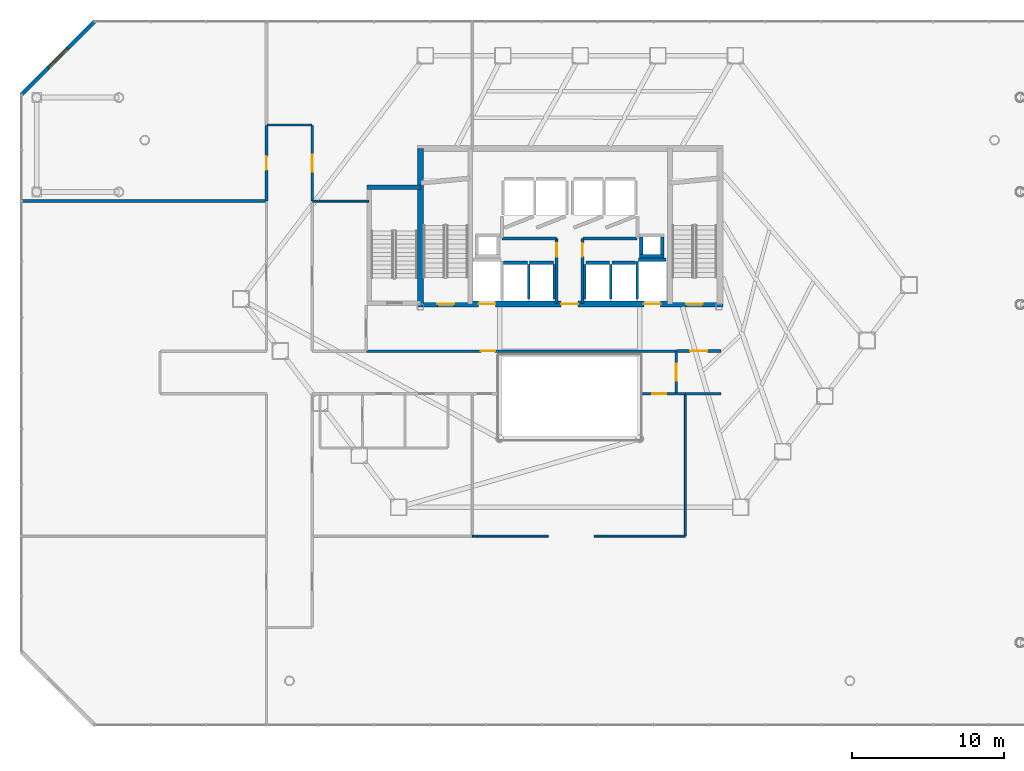
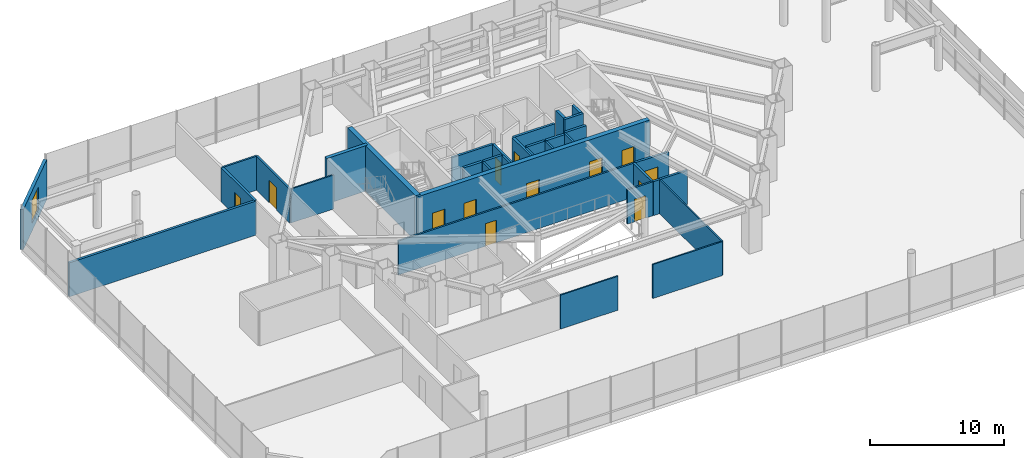
# One storey, part 35 of 37: 35 walls, 13 doors, 1 window, 14 openings.
"""IFC4 building model written with IfcOpenShell, lengths in metres."""

from ifc_helpers import new_model, si_unit, direction, frame, frame_2d, origin, place, context, subcontext, project, spatial, rectangle, extrude, material, layer, layer_set, type_object, element, fill, save


model = new_model("IFC4")

# Units and contexts
model_context = context("Model", 3, precision=1e-05, world=origin(), true_north=direction((0.0, 1.0)))
body_context = subcontext(model_context, "Body", "Model", "MODEL_VIEW")
ifc_project = project(units=[si_unit("LENGTHUNIT", "METRE"), si_unit("AREAUNIT", "SQUARE_METRE"), si_unit("VOLUMEUNIT", "CUBIC_METRE"), si_unit("PLANEANGLEUNIT", "RADIAN"), si_unit("MASSUNIT", "GRAM", prefix="KILO")], contexts=[model_context])

# Site, building, storey
site_placement = place(None, origin())
site = spatial("IfcSite", under=ifc_project, at=site_placement, CompositionType="ELEMENT")
building_placement = place(site_placement, origin())
building = spatial("IfcBuilding", under=site, at=building_placement, Name="Zarrinselat Tower", CompositionType="ELEMENT")
storey_placement = place(building_placement, frame((0.0, 0.0, 13.93994140625)))
storey = spatial("IfcBuildingStorey", under=building, at=storey_placement, Name="L03", CompositionType="ELEMENT", Elevation=13.93994140625)

# Wall, opening, window
ifc_material_1 = material(Name="Honed Cream Travertine Stone", Category="masonry")
ifc_layer_1 = layer(ifc_material_1, 0.260009765625)
ifc_layer_set_1 = layer_set([ifc_layer_1], Name="Honed Cream Travertine Stone")
wall_type_1 = type_object("IfcWallType", Name="WAL-EXT-STONE-260", PredefinedType="STANDARD", material=ifc_layer_set_1)
wall_1_placement = place(storey_placement, frame((2.39990234375, 47.0, 0.0), z_axis=(0.0, 0.0, 1.0), x_axis=(0.707106781187, 0.707106781187, 0.0)))
wall_1 = element("IfcWall", 1, at=wall_1_placement, inside=storey, type_object=wall_type_1, Name="L03 Chamfered Stone Corner Wall 5", PredefinedType="STANDARD", context=body_context, shape_type="SweptSolid", body=[
    extrude(rectangle(XDim=6.788330078125, YDim=0.260009765625, at=frame_2d((3.39404296875, 0.0))), origin(), (0.0, 0.0, 1.0), 3.650146484375),
])
opening_1_placement = place(wall_1_placement, frame((2.494140625, 0.0, 0.699951171875)))
opening_1 = element("IfcOpeningElement", 2, at=opening_1_placement, cuts=wall_1, Name="Opening WN-2", PredefinedType="OPENING", context=body_context, shape_type="SweptSolid", body=[
    extrude(rectangle(XDim=1.800048828125, YDim=2.10009765625, at=frame_2d((0.89990234375, 1.050048828125))), frame((0.0, 0.139892578125, 0.0), z_axis=(0.0, -1.0, 0.0), x_axis=(1.0, 0.0, 0.0)), (0.0, 0.0, 1.0), 0.280029296875),
])
ifc_material_2 = material(Name="Double Low-E Laminated Solar Glass", Category="glass")
window_type = type_object("IfcWindowType", Name="WIN-GALLERY-1800", PartitioningType="SINGLE_PANEL", PredefinedType="WINDOW", material=ifc_material_2)
window_placement = place(opening_1_placement, origin())
window = element("IfcWindow", 3, at=window_placement, inside=storey, type_object=window_type, Name="L03 Corner Gallery Window 5", OverallHeight=2.10009765625, OverallWidth=1.800048828125, PartitioningType="SINGLE_PANEL", PredefinedType="WINDOW", context=body_context, shape_type="SweptSolid", body=[
    extrude(rectangle(XDim=1.800048828125, YDim=2.10009765625, at=frame_2d((0.89990234375, 1.050048828125))), frame((0.0, 0.030029296875, 0.0), z_axis=(0.0, -1.0, 0.0), x_axis=(1.0, 0.0, 0.0)), (0.0, 0.0, 1.0), 0.06005859375),
])
fill(opening_1, window)

# Wall, opening, door
ifc_material_3 = material(Name="Concrete C40/50", Category="concrete")
ifc_layer_2 = layer(ifc_material_3, 0.18994140625)
ifc_layer_set_2 = layer_set([ifc_layer_2], Name="Concrete C40/50")
wall_type_2 = type_object("IfcWallType", Name="WAL-PART-EI120", PredefinedType="PARTITIONING", material=ifc_layer_set_2)
wall_2_placement = place(storey_placement, frame((45.405029296875, 30.14990234375, 0.0), z_axis=(0.0, 0.0, 1.0), x_axis=(1.0, 0.0, 0.0)))
wall_2 = element("IfcWall", 4, at=wall_2_placement, inside=storey, type_object=wall_type_2, Name="L03 Partition Wall 7", PredefinedType="PARTITIONING", context=body_context, shape_type="SweptSolid", body=[
    extrude(rectangle(XDim=2.945068359375, YDim=0.18994140625, at=frame_2d((1.47265625, 0.0))), origin(), (0.0, 0.0, 1.0), 3.09716796875),
])
opening_2_placement = place(wall_2_placement, frame((0.91259765625, 0.0, 0.0)))
opening_2 = element("IfcOpeningElement", 5, at=opening_2_placement, cuts=wall_2, Name="Opening ID-02", PredefinedType="OPENING", context=body_context, shape_type="SweptSolid", body=[
    extrude(rectangle(XDim=1.1201171875, YDim=2.050048828125, at=frame_2d((0.56005859375, 1.02490234375))), frame((0.0, 0.10498046875, 0.0), z_axis=(0.0, -1.0, 0.0), x_axis=(1.0, 0.0, 0.0)), (0.0, 0.0, 1.0), 0.2099609375),
])
ifc_material_4 = material(Name="Steel S355J2", Category="steel")
door_type_1 = type_object("IfcDoorType", Name="DR-INT-FD60-W", OperationType="NOTDEFINED", PredefinedType="DOOR", material=ifc_material_4)
door_1_placement = place(opening_2_placement, origin())
door_1 = element("IfcDoor", 6, at=door_1_placement, inside=storey, type_object=door_type_1, Name="L03 Interior Door P7", OperationType="SINGLE_SWING_RIGHT", OverallHeight=2.050048828125, OverallWidth=1.1201171875, PredefinedType="DOOR", context=body_context, shape_type="SweptSolid", body=[
    extrude(rectangle(XDim=1.1201171875, YDim=2.050048828125, at=frame_2d((0.56005859375, 1.02490234375))), frame((0.0, 0.02490234375, 0.0), z_axis=(0.0, -1.0, 0.0), x_axis=(1.0, 0.0, 0.0)), (0.0, 0.0, 1.0), 0.050048828125),
])
fill(opening_2, door_1)

wall_3_placement = place(storey_placement, frame((45.39990234375, 27.3701171875, 0.0), z_axis=(0.0, 0.0, 1.0), x_axis=(0.0, 1.0, 0.0)))
wall_3 = element("IfcWall", 7, at=wall_3_placement, inside=storey, type_object=wall_type_2, Name="L03 Partition Wall 10", PredefinedType="PARTITIONING", context=body_context, shape_type="SweptSolid", body=[
    extrude(rectangle(XDim=2.759765625, YDim=0.18994140625, at=frame_2d((1.3798828125, 0.0))), origin(), (0.0, 0.0, 1.0), 3.09716796875),
])
opening_3_placement = place(wall_3_placement, frame((0.820068359375, 0.0, 0.0)))
opening_3 = element("IfcOpeningElement", 8, at=opening_3_placement, cuts=wall_3, Name="Opening ID-02", PredefinedType="OPENING", context=body_context, shape_type="SweptSolid", body=[
    extrude(rectangle(XDim=1.1201171875, YDim=2.050048828125, at=frame_2d((0.56005859375, 1.02490234375))), frame((0.0, 0.10498046875, 0.0), z_axis=(0.0, -1.0, 0.0), x_axis=(1.0, 0.0, 0.0)), (0.0, 0.0, 1.0), 0.2099609375),
])
door_2_placement = place(opening_3_placement, origin())
door_2 = element("IfcDoor", 9, at=door_2_placement, inside=storey, type_object=door_type_1, Name="L03 Interior Door P10", OperationType="SINGLE_SWING_LEFT", OverallHeight=2.050048828125, OverallWidth=1.1201171875, PredefinedType="DOOR", context=body_context, shape_type="SweptSolid", body=[
    extrude(rectangle(XDim=1.1201171875, YDim=2.050048828125, at=frame_2d((0.56005859375, 1.02490234375))), frame((0.0, 0.02490234375, 0.0), z_axis=(0.0, -1.0, 0.0), x_axis=(1.0, 0.0, 0.0)), (0.0, 0.0, 1.0), 0.050048828125),
])
fill(opening_3, door_2)

# Walls
wall_4_placement = place(storey_placement, frame((46.0048828125, 27.35009765625, 0.0), z_axis=(0.0, 0.0, 1.0), x_axis=(1.0, 0.0, 0.0)))
element("IfcWall", 10, at=wall_4_placement, inside=storey, type_object=wall_type_2, Name="L03 Partition Wall 11", PredefinedType="PARTITIONING", context=body_context, shape_type="SweptSolid", body=[
    extrude(rectangle(XDim=2.34521484375, YDim=0.18994140625, at=frame_2d((1.172607421875, 0.0))), origin(), (0.0, 0.0, 1.0), 3.09716796875),
])
wall_5_placement = place(storey_placement, frame((45.419921875, 27.35009765625, 0.0), z_axis=(0.0, 0.0, 1.0), x_axis=(1.0, 0.0, 0.0)))
element("IfcWall", 11, at=wall_5_placement, inside=storey, type_object=wall_type_2, Name="L03 Partition Wall 12", PredefinedType="PARTITIONING", context=body_context, shape_type="SweptSolid", body=[
    extrude(rectangle(XDim=0.5751953125, YDim=0.18994140625, at=frame_2d((0.28759765625, 0.0))), origin(), (0.0, 0.0, 1.0), 3.09716796875),
])

# Wall, opening, door
ifc_material_5 = material(Name="Fire-Rated Gypsum Board Partition", Category="gypsum")
ifc_layer_3 = layer(ifc_material_5, 0.14990234375)
ifc_layer_set_3 = layer_set([ifc_layer_3], Name="Fire-Rated Gypsum Board Partition")
wall_type_3 = type_object("IfcWallType", Name="WAL-PART-EI60", PredefinedType="PARTITIONING", material=ifc_layer_set_3)
wall_6_placement = place(storey_placement, frame((25.070068359375, 30.14990234375, 0.0), z_axis=(0.0, 0.0, 1.0), x_axis=(1.0, 0.0, 0.0)))
wall_6 = element("IfcWall", 12, at=wall_6_placement, inside=storey, type_object=wall_type_3, Name="L03 Partition Wall 8", PredefinedType="PARTITIONING", context=body_context, shape_type="SweptSolid", body=[
    extrude(rectangle(XDim=20.324951171875, YDim=0.14990234375, at=frame_2d((10.16259765625, 0.0))), origin(), (0.0, 0.0, 1.0), 3.09716796875),
])
opening_4_placement = place(wall_6_placement, frame((7.492431640625, 0.0, 0.0)))
opening_4 = element("IfcOpeningElement", 13, at=opening_4_placement, cuts=wall_6, Name="Opening ID-04", PredefinedType="OPENING", context=body_context, shape_type="SweptSolid", body=[
    extrude(rectangle(XDim=0.93994140625, YDim=2.050048828125, at=frame_2d((0.469970703125, 1.02490234375))), frame((0.0, 0.0849609375, 0.0), z_axis=(0.0, -1.0, 0.0), x_axis=(1.0, 0.0, 0.0)), (0.0, 0.0, 1.0), 0.169921875),
])
ifc_material_6 = material(Name="Fire-Rated Gypsum Board Partition")
door_type_2 = type_object("IfcDoorType", Name="DR-INT-FD30-ENT", OperationType="NOTDEFINED", PredefinedType="DOOR", material=ifc_material_6)
door_3_placement = place(opening_4_placement, origin())
door_3 = element("IfcDoor", 14, at=door_3_placement, inside=storey, type_object=door_type_2, Name="L03 Interior Door P8", OperationType="SINGLE_SWING_LEFT", OverallHeight=2.050048828125, OverallWidth=0.93994140625, PredefinedType="DOOR", context=body_context, shape_type="SweptSolid", body=[
    extrude(rectangle(XDim=0.93994140625, YDim=2.050048828125, at=frame_2d((0.469970703125, 1.02490234375))), frame((0.0, 0.02490234375, 0.0), z_axis=(0.0, -1.0, 0.0), x_axis=(1.0, 0.0, 0.0)), (0.0, 0.0, 1.0), 0.050048828125),
])
fill(opening_4, door_3)

wall_7_placement = place(storey_placement, frame((43.179931640625, 27.35009765625, 0.0), z_axis=(0.0, 0.0, 1.0), x_axis=(1.0, 0.0, 0.0)))
wall_7 = element("IfcWall", 15, at=wall_7_placement, inside=storey, type_object=wall_type_3, Name="L03 Partition Wall 24", PredefinedType="PARTITIONING", context=body_context, shape_type="SweptSolid", body=[
    extrude(rectangle(XDim=2.199951171875, YDim=0.14990234375, at=frame_2d((1.10009765625, 0.0))), origin(), (0.0, 0.0, 1.0), 3.09716796875),
])
opening_5_placement = place(wall_7_placement, frame((0.6298828125, 0.0, 0.0)))
opening_5 = element("IfcOpeningElement", 16, at=opening_5_placement, cuts=wall_7, Name="Opening ID-04", PredefinedType="OPENING", context=body_context, shape_type="SweptSolid", body=[
    extrude(rectangle(XDim=0.93994140625, YDim=2.050048828125, at=frame_2d((0.469970703125, 1.02490234375))), frame((0.0, 0.0849609375, 0.0), z_axis=(0.0, -1.0, 0.0), x_axis=(1.0, 0.0, 0.0)), (0.0, 0.0, 1.0), 0.169921875),
])
door_4_placement = place(opening_5_placement, origin())
door_4 = element("IfcDoor", 17, at=door_4_placement, inside=storey, type_object=door_type_2, Name="L03 Interior Door P24", OperationType="SINGLE_SWING_RIGHT", OverallHeight=2.050048828125, OverallWidth=0.93994140625, PredefinedType="DOOR", context=body_context, shape_type="SweptSolid", body=[
    extrude(rectangle(XDim=0.93994140625, YDim=2.050048828125, at=frame_2d((0.469970703125, 1.02490234375))), frame((0.0, 0.02490234375, 0.0), z_axis=(0.0, -1.0, 0.0), x_axis=(1.0, 0.0, 0.0)), (0.0, 0.0, 1.0), 0.050048828125),
])
fill(opening_5, door_4)

# Wall
wall_8_placement = place(storey_placement, frame((18.52001953125, 45.0, 0.0), z_axis=(0.0, 0.0, 1.0), x_axis=(1.0, 0.0, 0.0)))
element("IfcWall", 18, at=wall_8_placement, inside=storey, type_object=wall_type_3, Name="L03 Partition Wall 34", PredefinedType="PARTITIONING", context=body_context, shape_type="SweptSolid", body=[
    extrude(rectangle(XDim=2.9599609375, YDim=0.14990234375, at=frame_2d((1.47998046875, 0.0))), origin(), (0.0, 0.0, 1.0), 3.09716796875),
])

# Wall, opening, door
wall_9_placement = place(storey_placement, frame((21.5, 40.0048828125, 0.0), z_axis=(0.0, 0.0, 1.0), x_axis=(0.0, 1.0, 0.0)))
wall_9 = element("IfcWall", 19, at=wall_9_placement, inside=storey, type_object=wall_type_3, Name="L03 Partition Wall 35", PredefinedType="PARTITIONING", context=body_context, shape_type="SweptSolid", body=[
    extrude(rectangle(XDim=4.97509765625, YDim=0.14990234375, at=frame_2d((2.487548828125, 0.0))), origin(), (0.0, 0.0, 1.0), 3.09716796875),
])
opening_6_placement = place(wall_9_placement, frame((1.927490234375, 0.0, 0.0)))
opening_6 = element("IfcOpeningElement", 20, at=opening_6_placement, cuts=wall_9, Name="Opening ID-02", PredefinedType="OPENING", context=body_context, shape_type="SweptSolid", body=[
    extrude(rectangle(XDim=1.1201171875, YDim=2.050048828125, at=frame_2d((0.56005859375, 1.02490234375))), frame((0.0, 0.0849609375, 0.0), z_axis=(0.0, -1.0, 0.0), x_axis=(1.0, 0.0, 0.0)), (0.0, 0.0, 1.0), 0.169921875),
])
door_5_placement = place(opening_6_placement, origin())
door_5 = element("IfcDoor", 21, at=door_5_placement, inside=storey, type_object=door_type_1, Name="L03 Interior Door P35", OperationType="SINGLE_SWING_RIGHT", OverallHeight=2.050048828125, OverallWidth=1.1201171875, PredefinedType="DOOR", context=body_context, shape_type="SweptSolid", body=[
    extrude(rectangle(XDim=1.1201171875, YDim=2.050048828125, at=frame_2d((0.56005859375, 1.02490234375))), frame((0.0, 0.02490234375, 0.0), z_axis=(0.0, -1.0, 0.0), x_axis=(1.0, 0.0, 0.0)), (0.0, 0.0, 1.0), 0.050048828125),
])
fill(opening_6, door_5)

ifc_material_7 = material(Name="Concrete C40/50", Category="concrete")
ifc_layer_4 = layer(ifc_material_7, 0.199951171875)
ifc_layer_set_4 = layer_set([ifc_layer_4], Name="Concrete C40/50")
wall_type_4 = type_object("IfcWallType", Name="WAL-PART-PLANT", PredefinedType="PARTITIONING", material=ifc_layer_set_4)
wall_10_placement = place(storey_placement, frame((37.550048828125, 33.264892578125, 0.0), z_axis=(0.0, 0.0, 1.0), x_axis=(0.0, 1.0, 0.0)))
wall_10 = element("IfcWall", 22, at=wall_10_placement, inside=storey, type_object=wall_type_4, Name="L03 Partition Wall 1", PredefinedType="PARTITIONING", context=body_context, shape_type="SweptSolid", body=[
    extrude(rectangle(XDim=4.26513671875, YDim=0.199951171875, at=frame_2d((2.132568359375, 0.0))), origin(), (0.0, 0.0, 1.0), 3.09716796875),
])
opening_7_placement = place(wall_10_placement, frame((3.092529296875, 0.0, 0.0)))
opening_7 = element("IfcOpeningElement", 23, at=opening_7_placement, cuts=wall_10, Name="Opening ID-03", PredefinedType="OPENING", context=body_context, shape_type="SweptSolid", body=[
    extrude(rectangle(XDim=0.8798828125, YDim=2.050048828125, at=frame_2d((0.43994140625, 1.02490234375))), frame((0.0, 0.10986328125, 0.0), z_axis=(0.0, -1.0, 0.0), x_axis=(1.0, 0.0, 0.0)), (0.0, 0.0, 1.0), 0.219970703125),
])
ifc_material_8 = material(Name="Steel S355J2", Category="steel")
door_type_3 = type_object("IfcDoorType", Name="DR-INT-FD60-S", OperationType="NOTDEFINED", PredefinedType="DOOR", material=ifc_material_8)
door_6_placement = place(opening_7_placement, origin())
door_6 = element("IfcDoor", 24, at=door_6_placement, inside=storey, type_object=door_type_3, Name="L03 Interior Door P1", OperationType="SINGLE_SWING_RIGHT", OverallHeight=2.050048828125, OverallWidth=0.8798828125, PredefinedType="DOOR", context=body_context, shape_type="SweptSolid", body=[
    extrude(rectangle(XDim=0.8798828125, YDim=2.050048828125, at=frame_2d((0.43994140625, 1.02490234375))), frame((0.0, 0.02490234375, 0.0), z_axis=(0.0, -1.0, 0.0), x_axis=(1.0, 0.0, 0.0)), (0.0, 0.0, 1.0), 0.050048828125),
])
fill(opening_7, door_6)

# Walls
for number, where, z_axis, x_axis, name in (
    (25, (33.969970703125, 37.550048828125, 0.0), (0.0, 0.0, 1.0), (1.0, 0.0, 0.0), "L03 Partition Wall 2"),
    (26, (39.27001953125, 37.550048828125, 0.0), (0.0, 0.0, 1.0), (1.0, 0.0, 0.0), "L03 Partition Wall 5"),
):
    element("IfcWall", number, at=place(storey_placement, frame(where, z_axis=z_axis, x_axis=x_axis)), inside=storey, type_object=wall_type_4, Name=name, PredefinedType="PARTITIONING", context=body_context, shape_type="SweptSolid", body=[
        extrude(rectangle(XDim=3.56005859375, YDim=0.199951171875, at=frame_2d((1.780029296875, 0.0))), origin(), (0.0, 0.0, 1.0), 3.09716796875),
    ])

# Wall, opening, door
wall_11_placement = place(storey_placement, frame((39.25, 33.264892578125, 0.0), z_axis=(0.0, 0.0, 1.0), x_axis=(0.0, 1.0, 0.0)))
wall_11 = element("IfcWall", 27, at=wall_11_placement, inside=storey, type_object=wall_type_4, Name="L03 Partition Wall 6", PredefinedType="PARTITIONING", context=body_context, shape_type="SweptSolid", body=[
    extrude(rectangle(XDim=4.26513671875, YDim=0.199951171875, at=frame_2d((2.132568359375, 0.0))), origin(), (0.0, 0.0, 1.0), 3.09716796875),
])
opening_8_placement = place(wall_11_placement, frame((3.092529296875, 0.0, 0.0)))
opening_8 = element("IfcOpeningElement", 28, at=opening_8_placement, cuts=wall_11, Name="Opening ID-03", PredefinedType="OPENING", context=body_context, shape_type="SweptSolid", body=[
    extrude(rectangle(XDim=0.8798828125, YDim=2.050048828125, at=frame_2d((0.43994140625, 1.02490234375))), frame((0.0, 0.10986328125, 0.0), z_axis=(0.0, -1.0, 0.0), x_axis=(1.0, 0.0, 0.0)), (0.0, 0.0, 1.0), 0.219970703125),
])
door_7_placement = place(opening_8_placement, origin())
door_7 = element("IfcDoor", 29, at=door_7_placement, inside=storey, type_object=door_type_3, Name="L03 Interior Door P6", OperationType="SINGLE_SWING_LEFT", OverallHeight=2.050048828125, OverallWidth=0.8798828125, PredefinedType="DOOR", context=body_context, shape_type="SweptSolid", body=[
    extrude(rectangle(XDim=0.8798828125, YDim=2.050048828125, at=frame_2d((0.43994140625, 1.02490234375))), frame((0.0, 0.02490234375, 0.0), z_axis=(0.0, -1.0, 0.0), x_axis=(1.0, 0.0, 0.0)), (0.0, 0.0, 1.0), 0.050048828125),
])
fill(opening_8, door_7)

wall_12_placement = place(storey_placement, frame((18.5, 40.0048828125, 0.0), z_axis=(0.0, 0.0, 1.0), x_axis=(0.0, 1.0, 0.0)))
wall_12 = element("IfcWall", 30, at=wall_12_placement, inside=storey, type_object=wall_type_4, Name="L03 Partition Wall 33", PredefinedType="PARTITIONING", context=body_context, shape_type="SweptSolid", body=[
    extrude(rectangle(XDim=4.97509765625, YDim=0.199951171875, at=frame_2d((2.487548828125, 0.0))), origin(), (0.0, 0.0, 1.0), 3.09716796875),
])
opening_9_placement = place(wall_12_placement, frame((2.047607421875, 0.0, 0.0)))
opening_9 = element("IfcOpeningElement", 31, at=opening_9_placement, cuts=wall_12, Name="Opening ID-03", PredefinedType="OPENING", context=body_context, shape_type="SweptSolid", body=[
    extrude(rectangle(XDim=0.8798828125, YDim=2.050048828125, at=frame_2d((0.43994140625, 1.02490234375))), frame((0.0, 0.10986328125, 0.0), z_axis=(0.0, -1.0, 0.0), x_axis=(1.0, 0.0, 0.0)), (0.0, 0.0, 1.0), 0.219970703125),
])
door_8_placement = place(opening_9_placement, origin())
door_8 = element("IfcDoor", 32, at=door_8_placement, inside=storey, type_object=door_type_3, Name="L03 Interior Door P33", OperationType="SINGLE_SWING_LEFT", OverallHeight=2.050048828125, OverallWidth=0.8798828125, PredefinedType="DOOR", context=body_context, shape_type="SweptSolid", body=[
    extrude(rectangle(XDim=0.8798828125, YDim=2.050048828125, at=frame_2d((0.43994140625, 1.02490234375))), frame((0.0, 0.02490234375, 0.0), z_axis=(0.0, -1.0, 0.0), x_axis=(1.0, 0.0, 0.0)), (0.0, 0.0, 1.0), 0.050048828125),
])
fill(opening_9, door_8)

# Walls
wall_13_placement = place(storey_placement, frame((2.4150390625, 40.0, 0.0), z_axis=(0.0, 0.0, 1.0), x_axis=(1.0, 0.0, 0.0)))
element("IfcWall", 33, at=wall_13_placement, inside=storey, type_object=wall_type_4, Name="L03 Partition Wall 51", PredefinedType="PARTITIONING", context=body_context, shape_type="SweptSolid", body=[
    extrude(rectangle(XDim=16.06494140625, YDim=0.199951171875, at=frame_2d((8.032470703125, 0.0))), origin(), (0.0, 0.0, 1.0), 3.09716796875),
])
ifc_material_9 = material(Name="Fire-Rated Gypsum Board Partition", Category="gypsum")
ifc_layer_5 = layer(ifc_material_9, 0.1201171875)
ifc_layer_set_5 = layer_set([ifc_layer_5], Name="Fire-Rated Gypsum Board Partition")
wall_type_5 = type_object("IfcWallType", Name="WAL-PART-STD", PredefinedType="PARTITIONING", material=ifc_layer_set_5)
wall_14_placement = place(storey_placement, frame((32.02001953125, 18.0, 0.0), z_axis=(0.0, 0.0, 1.0), x_axis=(1.0, 0.0, 0.0)))
element("IfcWall", 34, at=wall_14_placement, inside=storey, type_object=wall_type_5, Name="L03 Partition Wall 45", PredefinedType="PARTITIONING", context=body_context, shape_type="SweptSolid", body=[
    extrude(rectangle(XDim=4.97998046875, YDim=0.1201171875, at=frame_2d((2.489990234375, 0.0))), origin(), (0.0, 0.0, 1.0), 3.09716796875),
])
wall_15_placement = place(storey_placement, frame((46.0, 18.02001953125, 0.0), z_axis=(0.0, 0.0, 1.0), x_axis=(0.0, 1.0, 0.0)))
element("IfcWall", 35, at=wall_15_placement, inside=storey, type_object=wall_type_5, Name="L03 Partition Wall 46", PredefinedType="PARTITIONING", context=body_context, shape_type="SweptSolid", body=[
    extrude(rectangle(XDim=9.31005859375, YDim=0.1201171875, at=frame_2d((4.655029296875, 0.0))), origin(), (0.0, 0.0, 1.0), 3.09716796875),
])
wall_16_placement = place(storey_placement, frame((40.0, 18.0, 0.0), z_axis=(0.0, 0.0, 1.0), x_axis=(1.0, 0.0, 0.0)))
element("IfcWall", 36, at=wall_16_placement, inside=storey, type_object=wall_type_5, Name="L03 Partition Wall 47", PredefinedType="PARTITIONING", context=body_context, shape_type="SweptSolid", body=[
    extrude(rectangle(XDim=5.97998046875, YDim=0.1201171875, at=frame_2d((2.989990234375, 0.0))), origin(), (0.0, 0.0, 1.0), 3.09716796875),
])
wall_17_placement = place(storey_placement, frame((21.52001953125, 40.0, 0.0), z_axis=(0.0, 0.0, 1.0), x_axis=(1.0, 0.0, 0.0)))
element("IfcWall", 37, at=wall_17_placement, inside=storey, type_object=wall_type_5, Name="L03 Partition Wall 52", PredefinedType="PARTITIONING", context=body_context, shape_type="SweptSolid", body=[
    extrude(rectangle(XDim=3.695068359375, YDim=0.1201171875, at=frame_2d((1.84765625, 0.0))), origin(), (0.0, 0.0, 1.0), 3.09716796875),
])
ifc_material_10 = material(Name="Concrete C40/50", Category="concrete")
ifc_layer_6 = layer(ifc_material_10, 0.2099609375)
ifc_layer_set_6 = layer_set([ifc_layer_6], Name="Concrete C40/50")
wall_type_6 = type_object("IfcWallType", Name="WAL-SHAFT-210", PredefinedType="SOLIDWALL", material=ifc_layer_set_6)
wall_18_placement = place(storey_placement, frame((42.919921875, 36.155029296875, 0.0), z_axis=(0.0, 0.0, 1.0), x_axis=(1.0, 0.0, 0.0)))
element("IfcWall", 38, at=wall_18_placement, inside=storey, type_object=wall_type_6, Name="L03 Lift FFL2 North Shaft Wall", PredefinedType="SOLIDWALL", context=body_context, shape_type="SweptSolid", body=[
    extrude(rectangle(XDim=1.800048828125, YDim=0.2099609375, at=frame_2d((0.89990234375, 0.0))), origin(), (0.0, 0.0, 1.0), 3.112060546875),
])
wall_19_placement = place(storey_placement, frame((42.85009765625, 33.580078125, 0.0), z_axis=(0.0, 0.0, 1.0), x_axis=(0.0, 1.0, 0.0)))
element("IfcWall", 39, at=wall_19_placement, inside=storey, type_object=wall_type_6, Name="L03 Lift FFL2 W Shaft Wall", PredefinedType="SOLIDWALL", context=body_context, shape_type="SweptSolid", body=[
    extrude(rectangle(XDim=2.449951171875, YDim=0.159912109375, at=frame_2d((1.22509765625, 0.0))), origin(), (0.0, 0.0, 1.0), 3.112060546875),
])
wall_20_placement = place(storey_placement, frame((34.070068359375, 35.955078125, 0.0), z_axis=(0.0, 0.0, 1.0), x_axis=(1.0, 0.0, 0.0)))
element("IfcWall", 40, at=wall_20_placement, inside=storey, type_object=wall_type_6, Name="L03 Lift PL5 North Shaft Wall", PredefinedType="SOLIDWALL", context=body_context, shape_type="SweptSolid", body=[
    extrude(rectangle(XDim=1.559814453125, YDim=0.2099609375, at=frame_2d((0.77978515625, 0.0))), origin(), (0.0, 0.0, 1.0), 3.112060546875),
])
wall_21_placement = place(storey_placement, frame((35.699951171875, 33.580078125, 0.0), z_axis=(0.0, 0.0, 1.0), x_axis=(0.0, 1.0, 0.0)))
element("IfcWall", 41, at=wall_21_placement, inside=storey, type_object=wall_type_6, Name="L03 Lift PL5 E Shaft Wall", PredefinedType="SOLIDWALL", context=body_context, shape_type="SweptSolid", body=[
    extrude(rectangle(XDim=2.25, YDim=0.159912109375, at=frame_2d((1.125, 0.0))), origin(), (0.0, 0.0, 1.0), 3.112060546875),
])
wall_22_placement = place(storey_placement, frame((35.77001953125, 35.955078125, 0.0), z_axis=(0.0, 0.0, 1.0), x_axis=(1.0, 0.0, 0.0)))
element("IfcWall", 42, at=wall_22_placement, inside=storey, type_object=wall_type_6, Name="L03 Lift PL6 North Shaft Wall", PredefinedType="SOLIDWALL", context=body_context, shape_type="SweptSolid", body=[
    extrude(rectangle(XDim=1.56005859375, YDim=0.2099609375, at=frame_2d((0.780029296875, 0.0))), origin(), (0.0, 0.0, 1.0), 3.112060546875),
])
wall_23_placement = place(storey_placement, frame((37.39990234375, 33.580078125, 0.0), z_axis=(0.0, 0.0, 1.0), x_axis=(0.0, 1.0, 0.0)))
element("IfcWall", 43, at=wall_23_placement, inside=storey, type_object=wall_type_6, Name="L03 Lift PL6 E Shaft Wall", PredefinedType="SOLIDWALL", context=body_context, shape_type="SweptSolid", body=[
    extrude(rectangle(XDim=2.25, YDim=0.159912109375, at=frame_2d((1.125, 0.0))), origin(), (0.0, 0.0, 1.0), 3.112060546875),
])
wall_24_placement = place(storey_placement, frame((39.469970703125, 35.955078125, 0.0), z_axis=(0.0, 0.0, 1.0), x_axis=(1.0, 0.0, 0.0)))
element("IfcWall", 44, at=wall_24_placement, inside=storey, type_object=wall_type_6, Name="L03 Lift PL8 North Shaft Wall", PredefinedType="SOLIDWALL", context=body_context, shape_type="SweptSolid", body=[
    extrude(rectangle(XDim=1.56005859375, YDim=0.2099609375, at=frame_2d((0.780029296875, 0.0))), origin(), (0.0, 0.0, 1.0), 3.112060546875),
])
for number, where, z_axis, x_axis, name in (
    (45, (39.39990234375, 33.580078125, 0.0), (0.0, 0.0, 1.0), (0.0, 1.0, 0.0), "L03 Lift PL8 W Shaft Wall"),
    (46, (41.10009765625, 33.580078125, 0.0), (0.0, 0.0, 1.0), (0.0, 1.0, 0.0), "L03 Lift PL8 E Shaft Wall"),
):
    element("IfcWall", number, at=place(storey_placement, frame(where, z_axis=z_axis, x_axis=x_axis)), inside=storey, type_object=wall_type_6, Name=name, PredefinedType="SOLIDWALL", context=body_context, shape_type="SweptSolid", body=[
        extrude(rectangle(XDim=2.25, YDim=0.159912109375, at=frame_2d((1.125, 0.0))), origin(), (0.0, 0.0, 1.0), 3.112060546875),
    ])
wall_25_placement = place(storey_placement, frame((41.169921875, 35.955078125, 0.0), z_axis=(0.0, 0.0, 1.0), x_axis=(1.0, 0.0, 0.0)))
element("IfcWall", 47, at=wall_25_placement, inside=storey, type_object=wall_type_6, Name="L03 Lift PL9 North Shaft Wall", PredefinedType="SOLIDWALL", context=body_context, shape_type="SweptSolid", body=[
    extrude(rectangle(XDim=1.56005859375, YDim=0.2099609375, at=frame_2d((0.780029296875, 0.0))), origin(), (0.0, 0.0, 1.0), 3.112060546875),
])
wall_26_placement = place(storey_placement, frame((42.989990234375, 36.375, 0.0), z_axis=(0.0, 0.0, 1.0), x_axis=(1.0, 0.0, 0.0)))
element("IfcWall", 48, at=wall_26_placement, inside=storey, type_object=wall_type_6, Name="L03 Core Riser RSR-E S Shaft Wall", PredefinedType="SOLIDWALL", context=body_context, shape_type="SweptSolid", body=[
    extrude(rectangle(XDim=1.60009765625, YDim=0.2099609375, at=frame_2d((0.800048828125, 0.0))), origin(), (0.0, 0.0, 1.0), 4.14013671875),
])
for number, where, z_axis, x_axis, name in (
    (49, (43.094970703125, 36.485107421875, 0.0), (0.0, 0.0, 1.0), (0.0, 1.0, 0.0), "L03 Core Riser RSR-E W Shaft Wall"),
    (50, (44.485107421875, 36.485107421875, 0.0), (0.0, 0.0, 1.0), (0.0, 1.0, 0.0), "L03 Core Riser RSR-E E Shaft Wall"),
):
    element("IfcWall", number, at=place(storey_placement, frame(where, z_axis=z_axis, x_axis=x_axis)), inside=storey, type_object=wall_type_6, Name=name, PredefinedType="SOLIDWALL", context=body_context, shape_type="SweptSolid", body=[
        extrude(rectangle(XDim=1.14990234375, YDim=0.2099609375, at=frame_2d((0.574951171875, 0.0))), origin(), (0.0, 0.0, 1.0), 4.14013671875),
    ])
ifc_material_11 = material(Name="Concrete C40/50", Category="concrete")
ifc_layer_7 = layer(ifc_material_11, 0.300048828125)
ifc_layer_set_7 = layer_set([ifc_layer_7], Name="Concrete C40/50")
wall_type_7 = type_object("IfcWallType", Name="WAL-SHEAR-300", PredefinedType="SHEAR", material=ifc_layer_set_7)
wall_27_placement = place(storey_placement, frame((25.080078125, 40.89990234375, 0.0), z_axis=(0.0, 0.0, 1.0), x_axis=(1.0, 0.0, 0.0)))
element("IfcWall", 51, at=wall_27_placement, inside=storey, type_object=wall_type_7, Name="L03 Stair 3 North Shear Wall", PredefinedType="SHEAR", context=body_context, shape_type="SweptSolid", body=[
    extrude(rectangle(XDim=3.52001953125, YDim=0.300048828125, at=frame_2d((1.760009765625, 0.0))), origin(), (0.0, 0.0, 1.0), 4.14013671875),
])

# Wall, openings, doors
ifc_material_12 = material(Name="Concrete C60/75", Category="concrete")
ifc_layer_8 = layer(ifc_material_12, 0.39990234375)
ifc_layer_set_8 = layer_set([ifc_layer_8], Name="Concrete C60/75")
wall_type_8 = type_object("IfcWallType", Name="WAL-SHEAR-400", PredefinedType="SHEAR", material=ifc_layer_set_8)
wall_28_placement = place(storey_placement, frame((28.39990234375, 33.25, 0.0), z_axis=(0.0, 0.0, 1.0), x_axis=(1.0, 0.0, 0.0)))
wall_28 = element("IfcWall", 52, at=wall_28_placement, inside=storey, type_object=wall_type_8, Name="L03 South Core Shear Wall", PredefinedType="SHEAR", context=body_context, shape_type="SweptSolid", body=[
    extrude(rectangle(XDim=20.06005859375, YDim=0.39990234375, at=frame_2d((10.030029296875, 0.0))), origin(), (0.0, 0.0, 1.0), 4.14013671875),
])
opening_10_placement = place(wall_28_placement, frame((4.030029296875, 0.0, 0.0)))
opening_10 = element("IfcOpeningElement", 53, at=opening_10_placement, cuts=wall_28, Name="Opening LD-FFL1", PredefinedType="OPENING", context=body_context, shape_type="SweptSolid", body=[
    extrude(rectangle(XDim=1.10009765625, YDim=2.14990234375, at=frame_2d((0.550048828125, 1.074951171875))), frame((0.0, 0.2099609375, 0.0), z_axis=(0.0, -1.0, 0.0), x_axis=(1.0, 0.0, 0.0)), (0.0, 0.0, 1.0), 0.419921875),
])
opening_11_placement = place(wall_28_placement, frame((14.8701171875, 0.0, 0.0)))
opening_11 = element("IfcOpeningElement", 54, at=opening_11_placement, cuts=wall_28, Name="Opening LD-FFL2", PredefinedType="OPENING", context=body_context, shape_type="SweptSolid", body=[
    extrude(rectangle(XDim=1.10009765625, YDim=2.14990234375, at=frame_2d((0.550048828125, 1.074951171875))), frame((0.0, 0.2099609375, 0.0), z_axis=(0.0, -1.0, 0.0), x_axis=(1.0, 0.0, 0.0)), (0.0, 0.0, 1.0), 0.419921875),
])
opening_12_placement = place(wall_28_placement, frame((1.31005859375, 0.0, 0.0)))
opening_12 = element("IfcOpeningElement", 55, at=opening_12_placement, cuts=wall_28, Name="Opening SD-01", PredefinedType="OPENING", context=body_context, shape_type="SweptSolid", body=[
    extrude(rectangle(XDim=1.10009765625, YDim=2.199951171875, at=frame_2d((0.550048828125, 1.10009765625))), frame((0.0, 0.2099609375, 0.0), z_axis=(0.0, -1.0, 0.0), x_axis=(1.0, 0.0, 0.0)), (0.0, 0.0, 1.0), 0.419921875),
])
opening_13_placement = place(wall_28_placement, frame((9.43994140625, 0.0, 0.0)))
opening_13 = element("IfcOpeningElement", 56, at=opening_13_placement, cuts=wall_28, Name="Opening ID-02", PredefinedType="OPENING", context=body_context, shape_type="SweptSolid", body=[
    extrude(rectangle(XDim=1.1201171875, YDim=2.050048828125, at=frame_2d((0.56005859375, 1.02490234375))), frame((0.0, 0.2099609375, 0.0), z_axis=(0.0, -1.0, 0.0), x_axis=(1.0, 0.0, 0.0)), (0.0, 0.0, 1.0), 0.419921875),
])
opening_14_placement = place(wall_28_placement, frame((17.64990234375, 0.0, 0.0)))
opening_14 = element("IfcOpeningElement", 57, at=opening_14_placement, cuts=wall_28, Name="Opening SD-01", PredefinedType="OPENING", context=body_context, shape_type="SweptSolid", body=[
    extrude(rectangle(XDim=1.10009765625, YDim=2.199951171875, at=frame_2d((0.550048828125, 1.10009765625))), frame((0.0, 0.2099609375, 0.0), z_axis=(0.0, -1.0, 0.0), x_axis=(1.0, 0.0, 0.0)), (0.0, 0.0, 1.0), 0.419921875),
])
door_9_placement = place(opening_13_placement, origin())
door_9 = element("IfcDoor", 58, at=door_9_placement, inside=storey, type_object=door_type_1, Name="L03 Core Service Vestibule Fire Door", OperationType="SINGLE_SWING_LEFT", OverallHeight=2.050048828125, OverallWidth=1.1201171875, PredefinedType="DOOR", context=body_context, shape_type="SweptSolid", body=[
    extrude(rectangle(XDim=1.1201171875, YDim=2.050048828125, at=frame_2d((0.56005859375, 1.02490234375))), frame((0.0, 0.02490234375, 0.0), z_axis=(0.0, -1.0, 0.0), x_axis=(1.0, 0.0, 0.0)), (0.0, 0.0, 1.0), 0.050048828125),
])
fill(opening_13, door_9)
ifc_material_13 = material(Name="Steel S355J2", Category="steel")
door_type_4 = type_object("IfcDoorType", Name="DR-LIFT-FF-1100", OperationType="NOTDEFINED", PredefinedType="DOOR", material=ifc_material_13)
door_10_placement = place(opening_10_placement, origin())
door_10 = element("IfcDoor", 59, at=door_10_placement, inside=storey, type_object=door_type_4, Name="L03 Lift FFL1 Sliding Landing Door", OperationType="SLIDING_TO_LEFT", OverallHeight=2.14990234375, OverallWidth=1.10009765625, PredefinedType="DOOR", context=body_context, shape_type="SweptSolid", body=[
    extrude(rectangle(XDim=1.10009765625, YDim=2.14990234375, at=frame_2d((0.550048828125, 1.074951171875))), frame((0.0, 0.02490234375, 0.0), z_axis=(0.0, -1.0, 0.0), x_axis=(1.0, 0.0, 0.0)), (0.0, 0.0, 1.0), 0.050048828125),
])
fill(opening_10, door_10)
door_11_placement = place(opening_11_placement, origin())
door_11 = element("IfcDoor", 60, at=door_11_placement, inside=storey, type_object=door_type_4, Name="L03 Lift FFL2 Sliding Landing Door", OperationType="SLIDING_TO_RIGHT", OverallHeight=2.14990234375, OverallWidth=1.10009765625, PredefinedType="DOOR", context=body_context, shape_type="SweptSolid", body=[
    extrude(rectangle(XDim=1.10009765625, YDim=2.14990234375, at=frame_2d((0.550048828125, 1.074951171875))), frame((0.0, 0.02490234375, 0.0), z_axis=(0.0, -1.0, 0.0), x_axis=(1.0, 0.0, 0.0)), (0.0, 0.0, 1.0), 0.050048828125),
])
fill(opening_11, door_11)
ifc_material_14 = material(Name="Steel S355J2", Category="steel")
door_type_5 = type_object("IfcDoorType", Name="DR-STAIR-1100", OperationType="NOTDEFINED", PredefinedType="DOOR", material=ifc_material_14)
door_12_placement = place(opening_12_placement, origin())
door_12 = element("IfcDoor", 61, at=door_12_placement, inside=storey, type_object=door_type_5, Name="L03 Exit Stair 1 Fire Door", OperationType="SINGLE_SWING_LEFT", OverallHeight=2.199951171875, OverallWidth=1.10009765625, PredefinedType="DOOR", context=body_context, shape_type="SweptSolid", body=[
    extrude(rectangle(XDim=1.10009765625, YDim=2.199951171875, at=frame_2d((0.550048828125, 1.10009765625))), frame((0.0, 0.02490234375, 0.0), z_axis=(0.0, -1.0, 0.0), x_axis=(1.0, 0.0, 0.0)), (0.0, 0.0, 1.0), 0.050048828125),
])
fill(opening_12, door_12)
door_13_placement = place(opening_14_placement, origin())
door_13 = element("IfcDoor", 62, at=door_13_placement, inside=storey, type_object=door_type_5, Name="L03 Exit Stair 2 Fire Door", OperationType="SINGLE_SWING_RIGHT", OverallHeight=2.199951171875, OverallWidth=1.10009765625, PredefinedType="DOOR", context=body_context, shape_type="SweptSolid", body=[
    extrude(rectangle(XDim=1.10009765625, YDim=2.199951171875, at=frame_2d((0.550048828125, 1.10009765625))), frame((0.0, 0.02490234375, 0.0), z_axis=(0.0, -1.0, 0.0), x_axis=(1.0, 0.0, 0.0)), (0.0, 0.0, 1.0), 0.050048828125),
])
fill(opening_14, door_13)

# Wall
wall_29_placement = place(storey_placement, frame((28.60009765625, 33.25, 0.0), z_axis=(0.0, 0.0, 1.0), x_axis=(0.0, 1.0, 0.0)))
element("IfcWall", 63, at=wall_29_placement, inside=storey, type_object=wall_type_8, Name="L03 Core Shear Wall W", PredefinedType="SHEAR", context=body_context, shape_type="SweptSolid", body=[
    extrude(rectangle(XDim=10.199951171875, YDim=0.39990234375, at=frame_2d((5.10009765625, 0.0))), origin(), (0.0, 0.0, 1.0), 4.14013671875),
])

save(model, "model.ifc")
